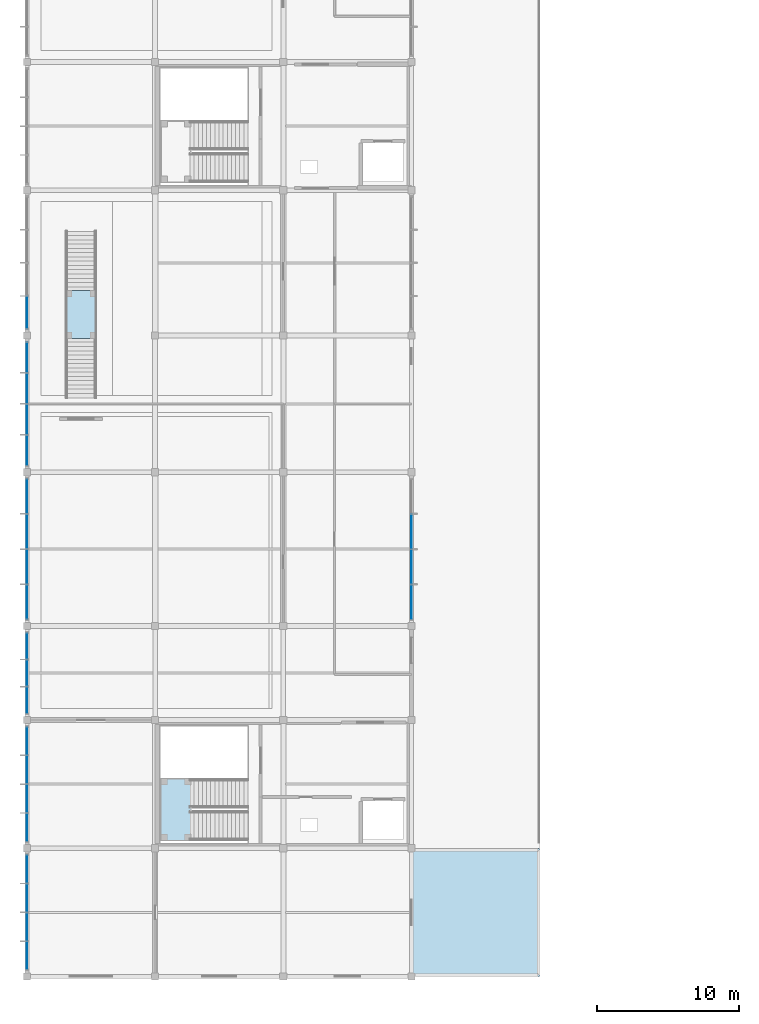
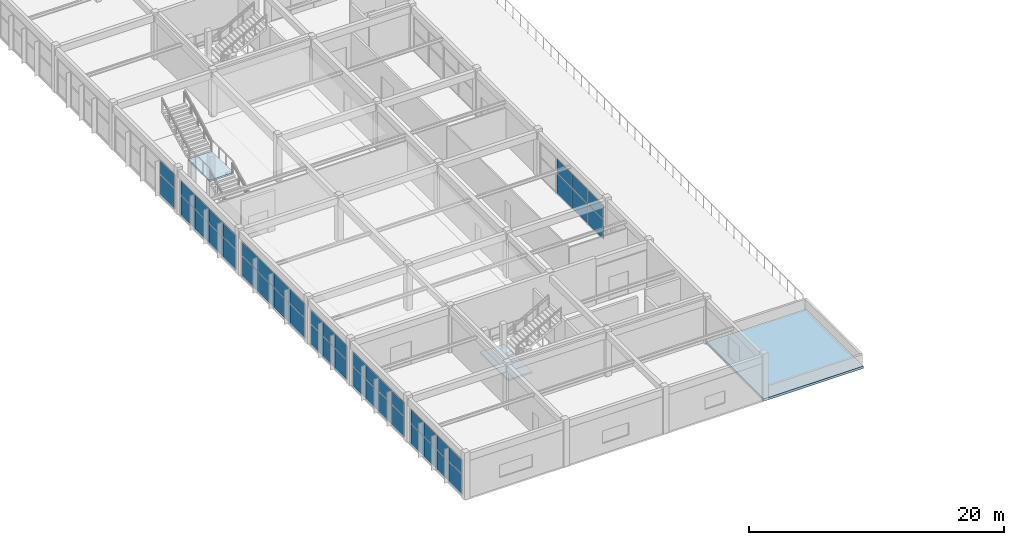
# One storey, part 10 of 22: 46 plates, 3 slabs, 9 elements without a shape of their own.
"""IFC4 building model written with IfcOpenShell, lengths in metres."""

from ifc_helpers import new_model, si_unit, direction, frame, origin, place, context, subcontext, project, spatial, polyline, outline, extrude, material, layer, layer_set, type_object, element, aggregate, save


model = new_model("IFC4")

# Units and contexts
model_context = context("Model", 3, precision=1e-05, world=origin(), true_north=direction((0.0, 1.0)))
body_context = subcontext(model_context, "Body", "Model", "MODEL_VIEW")
ifc_project = project(units=[si_unit("LENGTHUNIT", "METRE"), si_unit("AREAUNIT", "SQUARE_METRE"), si_unit("VOLUMEUNIT", "CUBIC_METRE"), si_unit("PLANEANGLEUNIT", "RADIAN"), si_unit("MASSUNIT", "GRAM", prefix="KILO")], contexts=[model_context])

# Site, building, storey
site_placement = place(None, origin())
site = spatial("IfcSite", under=ifc_project, at=site_placement, CompositionType="ELEMENT")
building_placement = place(site_placement, origin())
building = spatial("IfcBuilding", under=site, at=building_placement, Name="Suirenkawa Promenade Aquatics Centre", CompositionType="ELEMENT")
storey_placement = place(building_placement, frame((0.0, 0.0, 14.10009765625)))
storey = spatial("IfcBuildingStorey", under=building, at=storey_placement, Name="L03", CompositionType="ELEMENT", Elevation=14.10009765625)

# Curtain wall, plates
ifc_material_1 = material(Name="Anodised aluminium 6063-T6", Category="aluminium")
curtain_wall_type_1 = type_object("IfcCurtainWallType", Name="CWAT-V5EL03-74", PredefinedType="NOTDEFINED", material=ifc_material_1)
curtain_wall_1_placement = place(storey_placement, origin())
curtain_wall_1 = element("IfcCurtainWall", 1, at=curtain_wall_1_placement, inside=storey, type_object=curtain_wall_type_1, Name="Curtain wall CWA-74 CW-135", PredefinedType="NOTDEFINED")
ifc_material_2 = material(Name="Low-E thermally broken double glazing", Category="glass")
ifc_layer_1 = layer(ifc_material_2, 0.028076171875, Name="Low-E thermally broken double glazing", Category="glass")
ifc_layer_set_1 = layer_set([ifc_layer_1], Name="Low-E thermally broken double glazing")
plate_type_1 = type_object("IfcPlateType", Name="CWP-LOWE-28", PredefinedType="CURTAIN_PANEL", material=ifc_layer_set_1)
plate_1_placement = place(storey_placement, frame((27.0, 36.675537109375, 0.039794921875), z_axis=(0.0, 0.0, 1.0), x_axis=(0.0, -1.0, 0.0)))
plate_1 = element("IfcPlate", 2, at=plate_1_placement, type_object=plate_type_1, Name="Glazed panel CP-02 CWP-02745", PredefinedType="CURTAIN_PANEL", context=body_context, shape_type="SweptSolid", body=[
    extrude(outline(polyline([(0.0400390625, 0.0), (2.435546875, 0.0), (2.435546875, 1.8701171875), (0.0400390625, 1.8701171875), (0.0400390625, 0.0)])), frame((0.0, 0.01416015625, 0.0), z_axis=(0.0, -1.0, 0.0), x_axis=(1.0, 0.0, 0.0)), (0.0, 0.0, 1.0), 0.028076171875),
])
plate_2_placement = place(storey_placement, frame((27.0, 36.675537109375, 1.989990234375), z_axis=(0.0, 0.0, 1.0), x_axis=(0.0, -1.0, 0.0)))
plate_2 = element("IfcPlate", 3, at=plate_2_placement, type_object=plate_type_1, Name="Top glazed panel CP-02 CWP-02746", PredefinedType="CURTAIN_PANEL", context=body_context, shape_type="SweptSolid", body=[
    extrude(outline(polyline([(0.0400390625, 0.0), (2.435546875, 0.0), (2.435546875, 1.33984375), (0.0400390625, 1.33984375), (0.0400390625, 0.0)])), frame((0.0, 0.01416015625, 0.0), z_axis=(0.0, -1.0, 0.0), x_axis=(1.0, 0.0, 0.0)), (0.0, 0.0, 1.0), 0.028076171875),
])
plate_3_placement = place(storey_placement, frame((27.0, 34.199951171875, 0.039794921875), z_axis=(0.0, 0.0, 1.0), x_axis=(0.0, -1.0, 0.0)))
plate_3 = element("IfcPlate", 4, at=plate_3_placement, type_object=plate_type_1, Name="Glazed panel CP-02 CWP-02747", PredefinedType="CURTAIN_PANEL", context=body_context, shape_type="SweptSolid", body=[
    extrude(outline(polyline([(0.0400390625, 0.0), (2.435546875, 0.0), (2.435546875, 1.8701171875), (0.0400390625, 1.8701171875), (0.0400390625, 0.0)])), frame((0.0, 0.01416015625, 0.0), z_axis=(0.0, -1.0, 0.0), x_axis=(1.0, 0.0, 0.0)), (0.0, 0.0, 1.0), 0.028076171875),
])
plate_4_placement = place(storey_placement, frame((27.0, 34.199951171875, 1.989990234375), z_axis=(0.0, 0.0, 1.0), x_axis=(0.0, -1.0, 0.0)))
plate_4 = element("IfcPlate", 5, at=plate_4_placement, type_object=plate_type_1, Name="Top glazed panel CP-02 CWP-02748", PredefinedType="CURTAIN_PANEL", context=body_context, shape_type="SweptSolid", body=[
    extrude(outline(polyline([(0.0400390625, 0.0), (2.435546875, 0.0), (2.435546875, 1.33984375), (0.0400390625, 1.33984375), (0.0400390625, 0.0)])), frame((0.0, 0.01416015625, 0.0), z_axis=(0.0, -1.0, 0.0), x_axis=(1.0, 0.0, 0.0)), (0.0, 0.0, 1.0), 0.028076171875),
])
plate_5_placement = place(storey_placement, frame((27.0, 31.724609375, 0.039794921875), z_axis=(0.0, 0.0, 1.0), x_axis=(0.0, -1.0, 0.0)))
plate_5 = element("IfcPlate", 6, at=plate_5_placement, type_object=plate_type_1, Name="Glazed panel CP-02 CWP-02749", PredefinedType="CURTAIN_PANEL", context=body_context, shape_type="SweptSolid", body=[
    extrude(outline(polyline([(0.0400390625, 0.0), (2.435546875, 0.0), (2.435546875, 1.8701171875), (0.0400390625, 1.8701171875), (0.0400390625, 0.0)])), frame((0.0, 0.01416015625, 0.0), z_axis=(0.0, -1.0, 0.0), x_axis=(1.0, 0.0, 0.0)), (0.0, 0.0, 1.0), 0.028076171875),
])
plate_6_placement = place(storey_placement, frame((27.0, 31.724609375, 1.989990234375), z_axis=(0.0, 0.0, 1.0), x_axis=(0.0, -1.0, 0.0)))
plate_6 = element("IfcPlate", 7, at=plate_6_placement, type_object=plate_type_1, Name="Top glazed panel CP-02 CWP-02750", PredefinedType="CURTAIN_PANEL", context=body_context, shape_type="SweptSolid", body=[
    extrude(outline(polyline([(0.0400390625, 0.0), (2.435546875, 0.0), (2.435546875, 1.33984375), (0.0400390625, 1.33984375), (0.0400390625, 0.0)])), frame((0.0, 0.01416015625, 0.0), z_axis=(0.0, -1.0, 0.0), x_axis=(1.0, 0.0, 0.0)), (0.0, 0.0, 1.0), 0.028076171875),
])
aggregate(curtain_wall_1, [plate_1, plate_2, plate_3, plate_4, plate_5, plate_6])

curtain_wall_type_2 = type_object("IfcCurtainWallType", Name="CWAT-V5WL03-71", PredefinedType="NOTDEFINED", material=ifc_material_1)
curtain_wall_2_placement = place(storey_placement, origin())
curtain_wall_2 = element("IfcCurtainWall", 8, at=curtain_wall_2_placement, inside=storey, type_object=curtain_wall_type_2, Name="Curtain wall CWA-71 CW-131", PredefinedType="NOTDEFINED")
ifc_material_3 = material(Name="Ceramic-fritted low-SHGC double glazing", Category="glass")
ifc_layer_2 = layer(ifc_material_3, 0.035888671875, Name="Ceramic-fritted low-SHGC double glazing", Category="glass")
ifc_layer_set_2 = layer_set([ifc_layer_2], Name="Ceramic-fritted low-SHGC double glazing")
plate_type_2 = type_object("IfcPlateType", Name="CWP-SHOJI-36", PredefinedType="CURTAIN_PANEL", material=ifc_layer_set_2)
plate_7_placement = place(storey_placement, frame((0.0, 4.64892578125, 0.039794921875), z_axis=(0.0, 0.0, 1.0), x_axis=(0.0, 1.0, 0.0)))
plate_7 = element("IfcPlate", 9, at=plate_7_placement, type_object=plate_type_2, Name="Glazed panel CP-01 CWP-02660", PredefinedType="CURTAIN_PANEL", context=body_context, shape_type="SweptSolid", body=[
    extrude(outline(polyline([(0.0400390625, 0.0), (1.985595703125, 0.0), (1.985595703125, 1.8701171875), (0.0400390625, 1.8701171875), (0.0400390625, 0.0)])), frame((0.0, 0.01806640625, 0.0), z_axis=(0.0, -1.0, 0.0), x_axis=(1.0, 0.0, 0.0)), (0.0, 0.0, 1.0), 0.035888671875),
])
plate_8_placement = place(storey_placement, frame((0.0, 4.64892578125, 1.989990234375), z_axis=(0.0, 0.0, 1.0), x_axis=(0.0, 1.0, 0.0)))
plate_8 = element("IfcPlate", 10, at=plate_8_placement, type_object=plate_type_2, Name="Top glazed panel CP-01 CWP-02661", PredefinedType="CURTAIN_PANEL", context=body_context, shape_type="SweptSolid", body=[
    extrude(outline(polyline([(0.0400390625, 0.0), (1.985595703125, 0.0), (1.985595703125, 1.33984375), (0.0400390625, 1.33984375), (0.0400390625, 0.0)])), frame((0.0, 0.01806640625, 0.0), z_axis=(0.0, -1.0, 0.0), x_axis=(1.0, 0.0, 0.0)), (0.0, 0.0, 1.0), 0.035888671875),
])
plate_9_placement = place(storey_placement, frame((0.0, 6.674560546875, 0.039794921875), z_axis=(0.0, 0.0, 1.0), x_axis=(0.0, 1.0, 0.0)))
plate_9 = element("IfcPlate", 11, at=plate_9_placement, type_object=plate_type_2, Name="Glazed panel CP-01 CWP-02662", PredefinedType="CURTAIN_PANEL", context=body_context, shape_type="SweptSolid", body=[
    extrude(outline(polyline([(0.0400390625, 0.0), (1.985595703125, 0.0), (1.985595703125, 1.8701171875), (0.0400390625, 1.8701171875), (0.0400390625, 0.0)])), frame((0.0, 0.01806640625, 0.0), z_axis=(0.0, -1.0, 0.0), x_axis=(1.0, 0.0, 0.0)), (0.0, 0.0, 1.0), 0.035888671875),
])
plate_10_placement = place(storey_placement, frame((0.0, 6.674560546875, 1.989990234375), z_axis=(0.0, 0.0, 1.0), x_axis=(0.0, 1.0, 0.0)))
plate_10 = element("IfcPlate", 12, at=plate_10_placement, type_object=plate_type_2, Name="Top glazed panel CP-01 CWP-02663", PredefinedType="CURTAIN_PANEL", context=body_context, shape_type="SweptSolid", body=[
    extrude(outline(polyline([(0.0400390625, 0.0), (1.985595703125, 0.0), (1.985595703125, 1.33984375), (0.0400390625, 1.33984375), (0.0400390625, 0.0)])), frame((0.0, 0.01806640625, 0.0), z_axis=(0.0, -1.0, 0.0), x_axis=(1.0, 0.0, 0.0)), (0.0, 0.0, 1.0), 0.035888671875),
])
plate_11_placement = place(storey_placement, frame((0.0, 8.699951171875, 0.039794921875), z_axis=(0.0, 0.0, 1.0), x_axis=(0.0, 1.0, 0.0)))
plate_11 = element("IfcPlate", 13, at=plate_11_placement, type_object=plate_type_2, Name="Glazed panel CP-01 CWP-02664", PredefinedType="CURTAIN_PANEL", context=body_context, shape_type="SweptSolid", body=[
    extrude(outline(polyline([(0.0400390625, 0.0), (1.985595703125, 0.0), (1.985595703125, 1.8701171875), (0.0400390625, 1.8701171875), (0.0400390625, 0.0)])), frame((0.0, 0.01806640625, 0.0), z_axis=(0.0, -1.0, 0.0), x_axis=(1.0, 0.0, 0.0)), (0.0, 0.0, 1.0), 0.035888671875),
])
plate_12_placement = place(storey_placement, frame((0.0, 8.699951171875, 1.989990234375), z_axis=(0.0, 0.0, 1.0), x_axis=(0.0, 1.0, 0.0)))
plate_12 = element("IfcPlate", 14, at=plate_12_placement, type_object=plate_type_2, Name="Top glazed panel CP-01 CWP-02665", PredefinedType="CURTAIN_PANEL", context=body_context, shape_type="SweptSolid", body=[
    extrude(outline(polyline([(0.0400390625, 0.0), (1.985595703125, 0.0), (1.985595703125, 1.33984375), (0.0400390625, 1.33984375), (0.0400390625, 0.0)])), frame((0.0, 0.01806640625, 0.0), z_axis=(0.0, -1.0, 0.0), x_axis=(1.0, 0.0, 0.0)), (0.0, 0.0, 1.0), 0.035888671875),
])
plate_13_placement = place(storey_placement, frame((0.0, 10.7255859375, 0.039794921875), z_axis=(0.0, 0.0, 1.0), x_axis=(0.0, 1.0, 0.0)))
plate_13 = element("IfcPlate", 15, at=plate_13_placement, type_object=plate_type_2, Name="Glazed panel CP-01 CWP-02666", PredefinedType="CURTAIN_PANEL", context=body_context, shape_type="SweptSolid", body=[
    extrude(outline(polyline([(0.0400390625, 0.0), (1.985595703125, 0.0), (1.985595703125, 1.8701171875), (0.0400390625, 1.8701171875), (0.0400390625, 0.0)])), frame((0.0, 0.01806640625, 0.0), z_axis=(0.0, -1.0, 0.0), x_axis=(1.0, 0.0, 0.0)), (0.0, 0.0, 1.0), 0.035888671875),
])
plate_14_placement = place(storey_placement, frame((0.0, 10.7255859375, 1.989990234375), z_axis=(0.0, 0.0, 1.0), x_axis=(0.0, 1.0, 0.0)))
plate_14 = element("IfcPlate", 16, at=plate_14_placement, type_object=plate_type_2, Name="Top glazed panel CP-01 CWP-02667", PredefinedType="CURTAIN_PANEL", context=body_context, shape_type="SweptSolid", body=[
    extrude(outline(polyline([(0.0400390625, 0.0), (1.985595703125, 0.0), (1.985595703125, 1.33984375), (0.0400390625, 1.33984375), (0.0400390625, 0.0)])), frame((0.0, 0.01806640625, 0.0), z_axis=(0.0, -1.0, 0.0), x_axis=(1.0, 0.0, 0.0)), (0.0, 0.0, 1.0), 0.035888671875),
])
aggregate(curtain_wall_2, [plate_7, plate_8, plate_9, plate_10, plate_11, plate_12, plate_13, plate_14])

curtain_wall_3_placement = place(storey_placement, origin())
curtain_wall_3 = element("IfcCurtainWall", 17, at=curtain_wall_3_placement, inside=storey, type_object=curtain_wall_type_2, Name="Curtain wall CWA-71 CW-132", PredefinedType="NOTDEFINED")
plate_15_placement = place(storey_placement, frame((0.0, 13.64892578125, 0.039794921875), z_axis=(0.0, 0.0, 1.0), x_axis=(0.0, 1.0, 0.0)))
plate_15 = element("IfcPlate", 18, at=plate_15_placement, type_object=plate_type_2, Name="Glazed panel CP-01 CWP-02682", PredefinedType="CURTAIN_PANEL", context=body_context, shape_type="SweptSolid", body=[
    extrude(outline(polyline([(0.0400390625, 0.0), (1.985595703125, 0.0), (1.985595703125, 1.8701171875), (0.0400390625, 1.8701171875), (0.0400390625, 0.0)])), frame((0.0, 0.01806640625, 0.0), z_axis=(0.0, -1.0, 0.0), x_axis=(1.0, 0.0, 0.0)), (0.0, 0.0, 1.0), 0.035888671875),
])
plate_16_placement = place(storey_placement, frame((0.0, 13.64892578125, 1.989990234375), z_axis=(0.0, 0.0, 1.0), x_axis=(0.0, 1.0, 0.0)))
plate_16 = element("IfcPlate", 19, at=plate_16_placement, type_object=plate_type_2, Name="Top glazed panel CP-01 CWP-02683", PredefinedType="CURTAIN_PANEL", context=body_context, shape_type="SweptSolid", body=[
    extrude(outline(polyline([(0.0400390625, 0.0), (1.985595703125, 0.0), (1.985595703125, 1.33984375), (0.0400390625, 1.33984375), (0.0400390625, 0.0)])), frame((0.0, 0.01806640625, 0.0), z_axis=(0.0, -1.0, 0.0), x_axis=(1.0, 0.0, 0.0)), (0.0, 0.0, 1.0), 0.035888671875),
])
plate_17_placement = place(storey_placement, frame((0.0, 15.674560546875, 0.039794921875), z_axis=(0.0, 0.0, 1.0), x_axis=(0.0, 1.0, 0.0)))
plate_17 = element("IfcPlate", 20, at=plate_17_placement, type_object=plate_type_2, Name="Glazed panel CP-01 CWP-02684", PredefinedType="CURTAIN_PANEL", context=body_context, shape_type="SweptSolid", body=[
    extrude(outline(polyline([(0.0400390625, 0.0), (1.985595703125, 0.0), (1.985595703125, 1.8701171875), (0.0400390625, 1.8701171875), (0.0400390625, 0.0)])), frame((0.0, 0.01806640625, 0.0), z_axis=(0.0, -1.0, 0.0), x_axis=(1.0, 0.0, 0.0)), (0.0, 0.0, 1.0), 0.035888671875),
])
plate_18_placement = place(storey_placement, frame((0.0, 15.674560546875, 1.989990234375), z_axis=(0.0, 0.0, 1.0), x_axis=(0.0, 1.0, 0.0)))
plate_18 = element("IfcPlate", 21, at=plate_18_placement, type_object=plate_type_2, Name="Top glazed panel CP-01 CWP-02685", PredefinedType="CURTAIN_PANEL", context=body_context, shape_type="SweptSolid", body=[
    extrude(outline(polyline([(0.0400390625, 0.0), (1.985595703125, 0.0), (1.985595703125, 1.33984375), (0.0400390625, 1.33984375), (0.0400390625, 0.0)])), frame((0.0, 0.01806640625, 0.0), z_axis=(0.0, -1.0, 0.0), x_axis=(1.0, 0.0, 0.0)), (0.0, 0.0, 1.0), 0.035888671875),
])
plate_19_placement = place(storey_placement, frame((0.0, 17.699951171875, 0.039794921875), z_axis=(0.0, 0.0, 1.0), x_axis=(0.0, 1.0, 0.0)))
plate_19 = element("IfcPlate", 22, at=plate_19_placement, type_object=plate_type_2, Name="Glazed panel CP-01 CWP-02686", PredefinedType="CURTAIN_PANEL", context=body_context, shape_type="SweptSolid", body=[
    extrude(outline(polyline([(0.0400390625, 0.0), (1.985595703125, 0.0), (1.985595703125, 1.8701171875), (0.0400390625, 1.8701171875), (0.0400390625, 0.0)])), frame((0.0, 0.01806640625, 0.0), z_axis=(0.0, -1.0, 0.0), x_axis=(1.0, 0.0, 0.0)), (0.0, 0.0, 1.0), 0.035888671875),
])
plate_20_placement = place(storey_placement, frame((0.0, 17.699951171875, 1.989990234375), z_axis=(0.0, 0.0, 1.0), x_axis=(0.0, 1.0, 0.0)))
plate_20 = element("IfcPlate", 23, at=plate_20_placement, type_object=plate_type_2, Name="Top glazed panel CP-01 CWP-02687", PredefinedType="CURTAIN_PANEL", context=body_context, shape_type="SweptSolid", body=[
    extrude(outline(polyline([(0.0400390625, 0.0), (1.985595703125, 0.0), (1.985595703125, 1.33984375), (0.0400390625, 1.33984375), (0.0400390625, 0.0)])), frame((0.0, 0.01806640625, 0.0), z_axis=(0.0, -1.0, 0.0), x_axis=(1.0, 0.0, 0.0)), (0.0, 0.0, 1.0), 0.035888671875),
])
plate_21_placement = place(storey_placement, frame((0.0, 19.7255859375, 0.039794921875), z_axis=(0.0, 0.0, 1.0), x_axis=(0.0, 1.0, 0.0)))
plate_21 = element("IfcPlate", 24, at=plate_21_placement, type_object=plate_type_2, Name="Glazed panel CP-01 CWP-02688", PredefinedType="CURTAIN_PANEL", context=body_context, shape_type="SweptSolid", body=[
    extrude(outline(polyline([(0.0400390625, 0.0), (1.985595703125, 0.0), (1.985595703125, 1.8701171875), (0.0400390625, 1.8701171875), (0.0400390625, 0.0)])), frame((0.0, 0.01806640625, 0.0), z_axis=(0.0, -1.0, 0.0), x_axis=(1.0, 0.0, 0.0)), (0.0, 0.0, 1.0), 0.035888671875),
])
plate_22_placement = place(storey_placement, frame((0.0, 19.7255859375, 1.989990234375), z_axis=(0.0, 0.0, 1.0), x_axis=(0.0, 1.0, 0.0)))
plate_22 = element("IfcPlate", 25, at=plate_22_placement, type_object=plate_type_2, Name="Top glazed panel CP-01 CWP-02689", PredefinedType="CURTAIN_PANEL", context=body_context, shape_type="SweptSolid", body=[
    extrude(outline(polyline([(0.0400390625, 0.0), (1.985595703125, 0.0), (1.985595703125, 1.33984375), (0.0400390625, 1.33984375), (0.0400390625, 0.0)])), frame((0.0, 0.01806640625, 0.0), z_axis=(0.0, -1.0, 0.0), x_axis=(1.0, 0.0, 0.0)), (0.0, 0.0, 1.0), 0.035888671875),
])
aggregate(curtain_wall_3, [plate_15, plate_16, plate_17, plate_18, plate_19, plate_20, plate_21, plate_22])

curtain_wall_type_3 = type_object("IfcCurtainWallType", Name="CWAT-V5WL03-72", PredefinedType="NOTDEFINED", material=ifc_material_1)
curtain_wall_4_placement = place(storey_placement, origin())
curtain_wall_4 = element("IfcCurtainWall", 26, at=curtain_wall_4_placement, inside=storey, type_object=curtain_wall_type_3, Name="Curtain wall CWA-72 CW-133", PredefinedType="NOTDEFINED")
plate_23_placement = place(storey_placement, frame((0.0, 22.64892578125, 0.039794921875), z_axis=(0.0, 0.0, 1.0), x_axis=(0.0, 1.0, 0.0)))
plate_23 = element("IfcPlate", 27, at=plate_23_placement, type_object=plate_type_2, Name="Glazed panel CP-01 CWP-02701", PredefinedType="CURTAIN_PANEL", context=body_context, shape_type="SweptSolid", body=[
    extrude(outline(polyline([(0.0400390625, 0.0), (1.860595703125, 0.0), (1.860595703125, 1.8701171875), (0.0400390625, 1.8701171875), (0.0400390625, 0.0)])), frame((0.0, 0.01806640625, 0.0), z_axis=(0.0, -1.0, 0.0), x_axis=(1.0, 0.0, 0.0)), (0.0, 0.0, 1.0), 0.035888671875),
])
plate_24_placement = place(storey_placement, frame((0.0, 22.64892578125, 1.989990234375), z_axis=(0.0, 0.0, 1.0), x_axis=(0.0, 1.0, 0.0)))
plate_24 = element("IfcPlate", 28, at=plate_24_placement, type_object=plate_type_2, Name="Top glazed panel CP-01 CWP-02702", PredefinedType="CURTAIN_PANEL", context=body_context, shape_type="SweptSolid", body=[
    extrude(outline(polyline([(0.0400390625, 0.0), (1.860595703125, 0.0), (1.860595703125, 1.33984375), (0.0400390625, 1.33984375), (0.0400390625, 0.0)])), frame((0.0, 0.01806640625, 0.0), z_axis=(0.0, -1.0, 0.0), x_axis=(1.0, 0.0, 0.0)), (0.0, 0.0, 1.0), 0.035888671875),
])
plate_25_placement = place(storey_placement, frame((0.0, 24.549560546875, 0.039794921875), z_axis=(0.0, 0.0, 1.0), x_axis=(0.0, 1.0, 0.0)))
plate_25 = element("IfcPlate", 29, at=plate_25_placement, type_object=plate_type_2, Name="Glazed panel CP-01 CWP-02703", PredefinedType="CURTAIN_PANEL", context=body_context, shape_type="SweptSolid", body=[
    extrude(outline(polyline([(0.0400390625, 0.0), (1.860595703125, 0.0), (1.860595703125, 1.8701171875), (0.0400390625, 1.8701171875), (0.0400390625, 0.0)])), frame((0.0, 0.01806640625, 0.0), z_axis=(0.0, -1.0, 0.0), x_axis=(1.0, 0.0, 0.0)), (0.0, 0.0, 1.0), 0.035888671875),
])
plate_26_placement = place(storey_placement, frame((0.0, 24.549560546875, 1.989990234375), z_axis=(0.0, 0.0, 1.0), x_axis=(0.0, 1.0, 0.0)))
plate_26 = element("IfcPlate", 30, at=plate_26_placement, type_object=plate_type_2, Name="Top glazed panel CP-01 CWP-02704", PredefinedType="CURTAIN_PANEL", context=body_context, shape_type="SweptSolid", body=[
    extrude(outline(polyline([(0.0400390625, 0.0), (1.860595703125, 0.0), (1.860595703125, 1.33984375), (0.0400390625, 1.33984375), (0.0400390625, 0.0)])), frame((0.0, 0.01806640625, 0.0), z_axis=(0.0, -1.0, 0.0), x_axis=(1.0, 0.0, 0.0)), (0.0, 0.0, 1.0), 0.035888671875),
])
plate_27_placement = place(storey_placement, frame((0.0, 26.450439453125, 0.039794921875), z_axis=(0.0, 0.0, 1.0), x_axis=(0.0, 1.0, 0.0)))
plate_27 = element("IfcPlate", 31, at=plate_27_placement, type_object=plate_type_2, Name="Glazed panel CP-01 CWP-02705", PredefinedType="CURTAIN_PANEL", context=body_context, shape_type="SweptSolid", body=[
    extrude(outline(polyline([(0.0400390625, 0.0), (1.860595703125, 0.0), (1.860595703125, 1.8701171875), (0.0400390625, 1.8701171875), (0.0400390625, 0.0)])), frame((0.0, 0.01806640625, 0.0), z_axis=(0.0, -1.0, 0.0), x_axis=(1.0, 0.0, 0.0)), (0.0, 0.0, 1.0), 0.035888671875),
])
plate_28_placement = place(storey_placement, frame((0.0, 26.450439453125, 1.989990234375), z_axis=(0.0, 0.0, 1.0), x_axis=(0.0, 1.0, 0.0)))
plate_28 = element("IfcPlate", 32, at=plate_28_placement, type_object=plate_type_2, Name="Top glazed panel CP-01 CWP-02706", PredefinedType="CURTAIN_PANEL", context=body_context, shape_type="SweptSolid", body=[
    extrude(outline(polyline([(0.0400390625, 0.0), (1.860595703125, 0.0), (1.860595703125, 1.33984375), (0.0400390625, 1.33984375), (0.0400390625, 0.0)])), frame((0.0, 0.01806640625, 0.0), z_axis=(0.0, -1.0, 0.0), x_axis=(1.0, 0.0, 0.0)), (0.0, 0.0, 1.0), 0.035888671875),
])
aggregate(curtain_wall_4, [plate_23, plate_24, plate_25, plate_26, plate_27, plate_28])

curtain_wall_type_4 = type_object("IfcCurtainWallType", Name="CWAT-V5WL03-73", PredefinedType="NOTDEFINED", material=ifc_material_1)
curtain_wall_5_placement = place(storey_placement, origin())
curtain_wall_5 = element("IfcCurtainWall", 33, at=curtain_wall_5_placement, inside=storey, type_object=curtain_wall_type_4, Name="Curtain wall CWA-73 CW-134", PredefinedType="NOTDEFINED")
plate_29_placement = place(storey_placement, frame((0.0, 29.2490234375, 0.039794921875), z_axis=(0.0, 0.0, 1.0), x_axis=(0.0, 1.0, 0.0)))
plate_29 = element("IfcPlate", 34, at=plate_29_placement, type_object=plate_type_2, Name="Glazed panel CP-01 CWP-02721", PredefinedType="CURTAIN_PANEL", context=body_context, shape_type="SweptSolid", body=[
    extrude(outline(polyline([(0.0400390625, 0.0), (2.435546875, 0.0), (2.435546875, 1.8701171875), (0.0400390625, 1.8701171875), (0.0400390625, 0.0)])), frame((0.0, 0.01806640625, 0.0), z_axis=(0.0, -1.0, 0.0), x_axis=(1.0, 0.0, 0.0)), (0.0, 0.0, 1.0), 0.035888671875),
])
plate_30_placement = place(storey_placement, frame((0.0, 29.2490234375, 1.989990234375), z_axis=(0.0, 0.0, 1.0), x_axis=(0.0, 1.0, 0.0)))
plate_30 = element("IfcPlate", 35, at=plate_30_placement, type_object=plate_type_2, Name="Top glazed panel CP-01 CWP-02722", PredefinedType="CURTAIN_PANEL", context=body_context, shape_type="SweptSolid", body=[
    extrude(outline(polyline([(0.0400390625, 0.0), (2.435546875, 0.0), (2.435546875, 1.33984375), (0.0400390625, 1.33984375), (0.0400390625, 0.0)])), frame((0.0, 0.01806640625, 0.0), z_axis=(0.0, -1.0, 0.0), x_axis=(1.0, 0.0, 0.0)), (0.0, 0.0, 1.0), 0.035888671875),
])
plate_31_placement = place(storey_placement, frame((0.0, 31.724609375, 0.039794921875), z_axis=(0.0, 0.0, 1.0), x_axis=(0.0, 1.0, 0.0)))
plate_31 = element("IfcPlate", 36, at=plate_31_placement, type_object=plate_type_2, Name="Glazed panel CP-01 CWP-02723", PredefinedType="CURTAIN_PANEL", context=body_context, shape_type="SweptSolid", body=[
    extrude(outline(polyline([(0.0400390625, 0.0), (2.435546875, 0.0), (2.435546875, 1.8701171875), (0.0400390625, 1.8701171875), (0.0400390625, 0.0)])), frame((0.0, 0.01806640625, 0.0), z_axis=(0.0, -1.0, 0.0), x_axis=(1.0, 0.0, 0.0)), (0.0, 0.0, 1.0), 0.035888671875),
])
plate_32_placement = place(storey_placement, frame((0.0, 31.724609375, 1.989990234375), z_axis=(0.0, 0.0, 1.0), x_axis=(0.0, 1.0, 0.0)))
plate_32 = element("IfcPlate", 37, at=plate_32_placement, type_object=plate_type_2, Name="Top glazed panel CP-01 CWP-02724", PredefinedType="CURTAIN_PANEL", context=body_context, shape_type="SweptSolid", body=[
    extrude(outline(polyline([(0.0400390625, 0.0), (2.435546875, 0.0), (2.435546875, 1.33984375), (0.0400390625, 1.33984375), (0.0400390625, 0.0)])), frame((0.0, 0.01806640625, 0.0), z_axis=(0.0, -1.0, 0.0), x_axis=(1.0, 0.0, 0.0)), (0.0, 0.0, 1.0), 0.035888671875),
])
plate_33_placement = place(storey_placement, frame((0.0, 34.199951171875, 0.039794921875), z_axis=(0.0, 0.0, 1.0), x_axis=(0.0, 1.0, 0.0)))
plate_33 = element("IfcPlate", 38, at=plate_33_placement, type_object=plate_type_2, Name="Glazed panel CP-01 CWP-02725", PredefinedType="CURTAIN_PANEL", context=body_context, shape_type="SweptSolid", body=[
    extrude(outline(polyline([(0.0400390625, 0.0), (2.435546875, 0.0), (2.435546875, 1.8701171875), (0.0400390625, 1.8701171875), (0.0400390625, 0.0)])), frame((0.0, 0.01806640625, 0.0), z_axis=(0.0, -1.0, 0.0), x_axis=(1.0, 0.0, 0.0)), (0.0, 0.0, 1.0), 0.035888671875),
])
plate_34_placement = place(storey_placement, frame((0.0, 34.199951171875, 1.989990234375), z_axis=(0.0, 0.0, 1.0), x_axis=(0.0, 1.0, 0.0)))
plate_34 = element("IfcPlate", 39, at=plate_34_placement, type_object=plate_type_2, Name="Top glazed panel CP-01 CWP-02726", PredefinedType="CURTAIN_PANEL", context=body_context, shape_type="SweptSolid", body=[
    extrude(outline(polyline([(0.0400390625, 0.0), (2.435546875, 0.0), (2.435546875, 1.33984375), (0.0400390625, 1.33984375), (0.0400390625, 0.0)])), frame((0.0, 0.01806640625, 0.0), z_axis=(0.0, -1.0, 0.0), x_axis=(1.0, 0.0, 0.0)), (0.0, 0.0, 1.0), 0.035888671875),
])
plate_35_placement = place(storey_placement, frame((0.0, 36.675537109375, 0.039794921875), z_axis=(0.0, 0.0, 1.0), x_axis=(0.0, 1.0, 0.0)))
plate_35 = element("IfcPlate", 40, at=plate_35_placement, type_object=plate_type_2, Name="Glazed panel CP-01 CWP-02727", PredefinedType="CURTAIN_PANEL", context=body_context, shape_type="SweptSolid", body=[
    extrude(outline(polyline([(0.0400390625, 0.0), (2.435546875, 0.0), (2.435546875, 1.8701171875), (0.0400390625, 1.8701171875), (0.0400390625, 0.0)])), frame((0.0, 0.01806640625, 0.0), z_axis=(0.0, -1.0, 0.0), x_axis=(1.0, 0.0, 0.0)), (0.0, 0.0, 1.0), 0.035888671875),
])
plate_36_placement = place(storey_placement, frame((0.0, 36.675537109375, 1.989990234375), z_axis=(0.0, 0.0, 1.0), x_axis=(0.0, 1.0, 0.0)))
plate_36 = element("IfcPlate", 41, at=plate_36_placement, type_object=plate_type_2, Name="Top glazed panel CP-01 CWP-02728", PredefinedType="CURTAIN_PANEL", context=body_context, shape_type="SweptSolid", body=[
    extrude(outline(polyline([(0.0400390625, 0.0), (2.435546875, 0.0), (2.435546875, 1.33984375), (0.0400390625, 1.33984375), (0.0400390625, 0.0)])), frame((0.0, 0.01806640625, 0.0), z_axis=(0.0, -1.0, 0.0), x_axis=(1.0, 0.0, 0.0)), (0.0, 0.0, 1.0), 0.035888671875),
])
aggregate(curtain_wall_5, [plate_29, plate_30, plate_31, plate_32, plate_33, plate_34, plate_35, plate_36])

curtain_wall_type_5 = type_object("IfcCurtainWallType", Name="CWAT-V5WL03-75", PredefinedType="NOTDEFINED", material=ifc_material_1)
curtain_wall_6_placement = place(storey_placement, origin())
curtain_wall_6 = element("IfcCurtainWall", 42, at=curtain_wall_6_placement, inside=storey, type_object=curtain_wall_type_5, Name="Curtain wall CWA-75 CW-136", PredefinedType="NOTDEFINED")
plate_37_placement = place(storey_placement, frame((0.0, 40.049072265625, 0.039794921875), z_axis=(0.0, 0.0, 1.0), x_axis=(0.0, 1.0, 0.0)))
plate_37 = element("IfcPlate", 43, at=plate_37_placement, type_object=plate_type_2, Name="Glazed panel CP-01 CWP-02765", PredefinedType="CURTAIN_PANEL", context=body_context, shape_type="SweptSolid", body=[
    extrude(outline(polyline([(0.0400390625, 0.0), (2.135498046875, 0.0), (2.135498046875, 1.8701171875), (0.0400390625, 1.8701171875), (0.0400390625, 0.0)])), frame((0.0, 0.01806640625, 0.0), z_axis=(0.0, -1.0, 0.0), x_axis=(1.0, 0.0, 0.0)), (0.0, 0.0, 1.0), 0.035888671875),
])
plate_38_placement = place(storey_placement, frame((0.0, 40.049072265625, 1.989990234375), z_axis=(0.0, 0.0, 1.0), x_axis=(0.0, 1.0, 0.0)))
plate_38 = element("IfcPlate", 44, at=plate_38_placement, type_object=plate_type_2, Name="Top glazed panel CP-01 CWP-02766", PredefinedType="CURTAIN_PANEL", context=body_context, shape_type="SweptSolid", body=[
    extrude(outline(polyline([(0.0400390625, 0.0), (2.135498046875, 0.0), (2.135498046875, 1.33984375), (0.0400390625, 1.33984375), (0.0400390625, 0.0)])), frame((0.0, 0.01806640625, 0.0), z_axis=(0.0, -1.0, 0.0), x_axis=(1.0, 0.0, 0.0)), (0.0, 0.0, 1.0), 0.035888671875),
])
plate_39_placement = place(storey_placement, frame((0.0, 42.224609375, 0.039794921875), z_axis=(0.0, 0.0, 1.0), x_axis=(0.0, 1.0, 0.0)))
plate_39 = element("IfcPlate", 45, at=plate_39_placement, type_object=plate_type_2, Name="Glazed panel CP-01 CWP-02767", PredefinedType="CURTAIN_PANEL", context=body_context, shape_type="SweptSolid", body=[
    extrude(outline(polyline([(0.0400390625, 0.0), (2.135498046875, 0.0), (2.135498046875, 1.8701171875), (0.0400390625, 1.8701171875), (0.0400390625, 0.0)])), frame((0.0, 0.01806640625, 0.0), z_axis=(0.0, -1.0, 0.0), x_axis=(1.0, 0.0, 0.0)), (0.0, 0.0, 1.0), 0.035888671875),
])
plate_40_placement = place(storey_placement, frame((0.0, 42.224609375, 1.989990234375), z_axis=(0.0, 0.0, 1.0), x_axis=(0.0, 1.0, 0.0)))
plate_40 = element("IfcPlate", 46, at=plate_40_placement, type_object=plate_type_2, Name="Top glazed panel CP-01 CWP-02768", PredefinedType="CURTAIN_PANEL", context=body_context, shape_type="SweptSolid", body=[
    extrude(outline(polyline([(0.0400390625, 0.0), (2.135498046875, 0.0), (2.135498046875, 1.33984375), (0.0400390625, 1.33984375), (0.0400390625, 0.0)])), frame((0.0, 0.01806640625, 0.0), z_axis=(0.0, -1.0, 0.0), x_axis=(1.0, 0.0, 0.0)), (0.0, 0.0, 1.0), 0.035888671875),
])
plate_41_placement = place(storey_placement, frame((0.0, 44.39990234375, 0.039794921875), z_axis=(0.0, 0.0, 1.0), x_axis=(0.0, 1.0, 0.0)))
plate_41 = element("IfcPlate", 47, at=plate_41_placement, type_object=plate_type_2, Name="Glazed panel CP-01 CWP-02769", PredefinedType="CURTAIN_PANEL", context=body_context, shape_type="SweptSolid", body=[
    extrude(outline(polyline([(0.0400390625, 0.0), (2.135498046875, 0.0), (2.135498046875, 1.8701171875), (0.0400390625, 1.8701171875), (0.0400390625, 0.0)])), frame((0.0, 0.01806640625, 0.0), z_axis=(0.0, -1.0, 0.0), x_axis=(1.0, 0.0, 0.0)), (0.0, 0.0, 1.0), 0.035888671875),
])
plate_42_placement = place(storey_placement, frame((0.0, 44.39990234375, 1.989990234375), z_axis=(0.0, 0.0, 1.0), x_axis=(0.0, 1.0, 0.0)))
plate_42 = element("IfcPlate", 48, at=plate_42_placement, type_object=plate_type_2, Name="Top glazed panel CP-01 CWP-02770", PredefinedType="CURTAIN_PANEL", context=body_context, shape_type="SweptSolid", body=[
    extrude(outline(polyline([(0.0400390625, 0.0), (2.135498046875, 0.0), (2.135498046875, 1.33984375), (0.0400390625, 1.33984375), (0.0400390625, 0.0)])), frame((0.0, 0.01806640625, 0.0), z_axis=(0.0, -1.0, 0.0), x_axis=(1.0, 0.0, 0.0)), (0.0, 0.0, 1.0), 0.035888671875),
])
plate_43_placement = place(storey_placement, frame((0.0, 46.575439453125, 0.039794921875), z_axis=(0.0, 0.0, 1.0), x_axis=(0.0, 1.0, 0.0)))
plate_43 = element("IfcPlate", 49, at=plate_43_placement, type_object=plate_type_2, Name="Glazed panel CP-01 CWP-02771", PredefinedType="CURTAIN_PANEL", context=body_context, shape_type="SweptSolid", body=[
    extrude(outline(polyline([(0.0400390625, 0.0), (2.135498046875, 0.0), (2.135498046875, 1.8701171875), (0.0400390625, 1.8701171875), (0.0400390625, 0.0)])), frame((0.0, 0.01806640625, 0.0), z_axis=(0.0, -1.0, 0.0), x_axis=(1.0, 0.0, 0.0)), (0.0, 0.0, 1.0), 0.035888671875),
])
plate_44_placement = place(storey_placement, frame((0.0, 46.575439453125, 1.989990234375), z_axis=(0.0, 0.0, 1.0), x_axis=(0.0, 1.0, 0.0)))
plate_44 = element("IfcPlate", 50, at=plate_44_placement, type_object=plate_type_2, Name="Top glazed panel CP-01 CWP-02772", PredefinedType="CURTAIN_PANEL", context=body_context, shape_type="SweptSolid", body=[
    extrude(outline(polyline([(0.0400390625, 0.0), (2.135498046875, 0.0), (2.135498046875, 1.33984375), (0.0400390625, 1.33984375), (0.0400390625, 0.0)])), frame((0.0, 0.01806640625, 0.0), z_axis=(0.0, -1.0, 0.0), x_axis=(1.0, 0.0, 0.0)), (0.0, 0.0, 1.0), 0.035888671875),
])
aggregate(curtain_wall_6, [plate_37, plate_38, plate_39, plate_40, plate_41, plate_42, plate_43, plate_44])

curtain_wall_type_6 = type_object("IfcCurtainWallType", Name="CWAT-V5WL03-76", PredefinedType="NOTDEFINED", material=ifc_material_1)
curtain_wall_7_placement = place(storey_placement, origin())
curtain_wall_7 = element("IfcCurtainWall", 51, at=curtain_wall_7_placement, inside=storey, type_object=curtain_wall_type_6, Name="Curtain wall CWA-76 CW-137", PredefinedType="NOTDEFINED")
plate_45_placement = place(storey_placement, frame((0.0, 49.64892578125, 0.039794921875), z_axis=(0.0, 0.0, 1.0), x_axis=(0.0, 1.0, 0.0)))
plate_45 = element("IfcPlate", 52, at=plate_45_placement, type_object=plate_type_2, Name="Glazed panel CP-01 CWP-02787", PredefinedType="CURTAIN_PANEL", context=body_context, shape_type="SweptSolid", body=[
    extrude(outline(polyline([(0.0400390625, 0.0), (2.285400390625, 0.0), (2.285400390625, 1.8701171875), (0.0400390625, 1.8701171875), (0.0400390625, 0.0)])), frame((0.0, 0.01806640625, 0.0), z_axis=(0.0, -1.0, 0.0), x_axis=(1.0, 0.0, 0.0)), (0.0, 0.0, 1.0), 0.035888671875),
])
plate_46_placement = place(storey_placement, frame((0.0, 49.64892578125, 1.989990234375), z_axis=(0.0, 0.0, 1.0), x_axis=(0.0, 1.0, 0.0)))
plate_46 = element("IfcPlate", 53, at=plate_46_placement, type_object=plate_type_2, Name="Top glazed panel CP-01 CWP-02788", PredefinedType="CURTAIN_PANEL", context=body_context, shape_type="SweptSolid", body=[
    extrude(outline(polyline([(0.0400390625, 0.0), (2.285400390625, 0.0), (2.285400390625, 1.33984375), (0.0400390625, 1.33984375), (0.0400390625, 0.0)])), frame((0.0, 0.01806640625, 0.0), z_axis=(0.0, -1.0, 0.0), x_axis=(1.0, 0.0, 0.0)), (0.0, 0.0, 1.0), 0.035888671875),
])
aggregate(curtain_wall_7, [plate_45, plate_46])

# Stair, slab
ifc_material_4 = material(Name="Concrete M40", Category="concrete")
stair_type_1 = type_object("IfcStairType", Name="STT-CORE-2100-450", PredefinedType="TWO_STRAIGHT_RUN_STAIR", material=ifc_material_4)
stair_1_placement = place(storey_placement, origin())
stair_1 = element("IfcStair", 54, at=stair_1_placement, inside=storey, type_object=stair_type_1, Name="Protected exit stair STR-02 ST-05", PredefinedType="TWO_STRAIGHT_RUN_STAIR")
ifc_layer_3 = layer(ifc_material_4, 0.169921875, Name="Concrete M40", Category="concrete")
ifc_layer_set_3 = layer_set([ifc_layer_3], Name="Concrete M40")
slab_type_1 = type_object("IfcSlabType", Name="SLT-LANDING-170", PredefinedType="LANDING", material=ifc_layer_set_3)
slab_1_placement = place(storey_placement, frame((0.0, 0.0, 2.06982421875)))
slab_1 = element("IfcSlab", 55, at=slab_1_placement, type_object=slab_type_1, Name="Stair landing SL-LND-01 SL-8005", PredefinedType="LANDING", context=body_context, shape_type="SweptSolid", body=[
    extrude(outline(polyline([(9.360107421875, 13.719970703125), (11.550048828125, 13.719970703125), (11.550048828125, 18.110107421875), (9.360107421875, 18.110107421875), (9.360107421875, 13.719970703125)])), origin(), (0.0, 0.0, 1.0), 0.18017578125),
])
aggregate(stair_1, [slab_1])

stair_type_2 = type_object("IfcStairType", Name="STT-FOYER-2600", PredefinedType="STRAIGHT_RUN_STAIR", material=ifc_material_4)
stair_2_placement = place(storey_placement, origin())
stair_2 = element("IfcStair", 56, at=stair_2_placement, inside=storey, type_object=stair_type_2, Name="Grand assembly cascade stair STR-05 ST-38", PredefinedType="STRAIGHT_RUN_STAIR")
slab_2_placement = place(storey_placement, frame((0.0, 0.0, 2.06982421875)))
slab_2 = element("IfcSlab", 57, at=slab_2_placement, type_object=slab_type_1, Name="Cascade landing SL-LND-01 SL-8038", PredefinedType="LANDING", context=body_context, shape_type="SweptSolid", body=[
    extrude(outline(polyline([(2.72509765625, 49.0048828125), (4.875, 49.0048828125), (4.875, 52.344970703125), (2.72509765625, 52.344970703125), (2.72509765625, 49.0048828125)])), origin(), (0.0, 0.0, 1.0), 0.18017578125),
])
aggregate(stair_2, [slab_2])

# Slab
ifc_material_5 = material(Name="Concrete M35", Category="concrete")
ifc_layer_4 = layer(ifc_material_5, 0.22998046875, Name="Concrete M35", Category="concrete")
ifc_layer_set_4 = layer_set([ifc_layer_4], Name="Concrete M35")
slab_type_2 = type_object("IfcSlabType", Name="SLT-ROOF-FLAT-230", PredefinedType="ROOF", material=ifc_layer_set_4)
slab_3_placement = place(storey_placement, frame((0.0, 0.0, -0.22998046875)))
element("IfcSlab", 58, at=slab_3_placement, inside=storey, type_object=slab_type_2, Name="V5 L03 south setback roof SL-ROOF-04 SL-0071", PredefinedType="ROOF", context=body_context, shape_type="SweptSolid", body=[
    extrude(outline(polyline([(27.0, 4.199951171875), (36.0, 4.199951171875), (36.0, 13.199951171875), (27.0, 13.199951171875), (27.0, 4.199951171875)])), origin(), (0.0, 0.0, 1.0), 0.22998046875),
])

save(model, "model.ifc")
